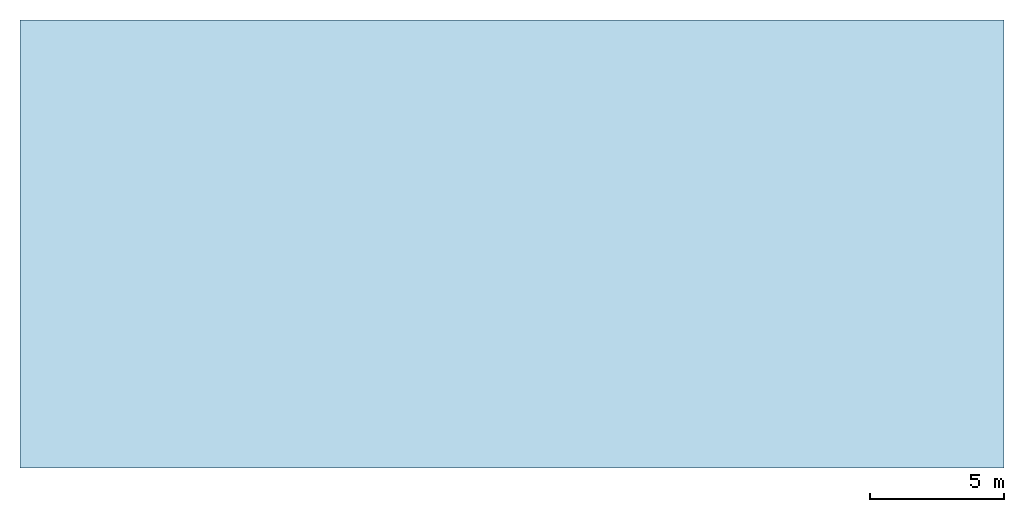
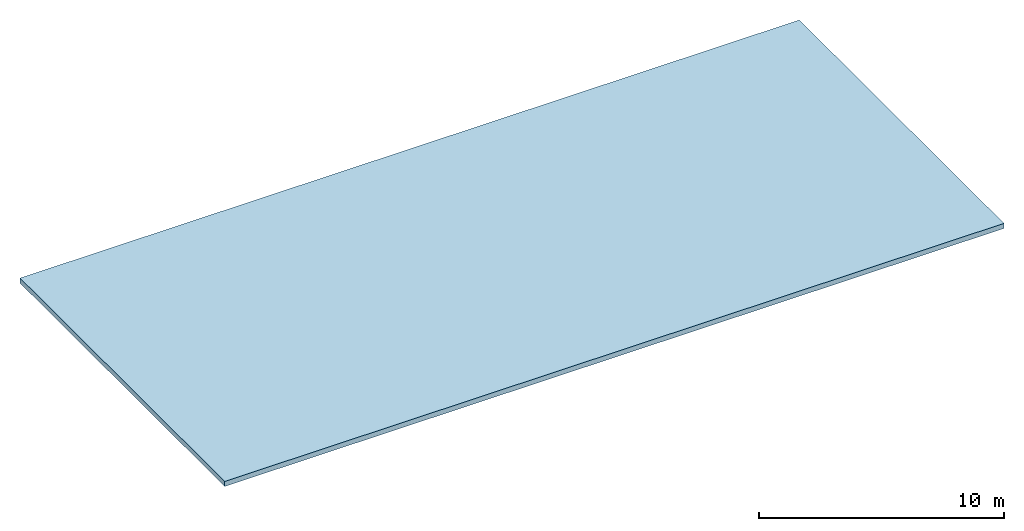
# One storey: 1 slab.
"""IFC4 building model written with IfcOpenShell, lengths in metres."""

import ifcopenshell
import ifcopenshell.guid

model = None  # the IFC model being written
_history = None  # IfcOwnerHistory: only IFC2X3 demands one
_inside = {}  # id of a spatial element -> (the spatial element, [elements in it])
_under = {}  # id of a project, library or spatial element -> (it, [spatial elements below it])
_declared = {}  # id of a project -> (the project, [libraries it declares])
_typed = {}  # id of a type object -> (the type object, [elements of that type])
_made_of = {}  # id of a material, layer set ... -> (it, [elements and type objects made of it])


def new_model(schema):
    """Start an empty IFC model of exactly this schema.

    Asked for "IFC4X3", IfcOpenShell would pick the latest addendum, in which some entities
    have other attributes; the version numbers below select the first issue.
    IFC2X3 requires an IfcOwnerHistory on every rooted entity: one is made here for all.
    """
    global model, _history
    if schema == "IFC4X3":
        model = ifcopenshell.file(schema_version=(4, 3, 0, 0))
    else:
        model = ifcopenshell.file(schema=schema)
    _inside.clear()
    _under.clear()
    _declared.clear()
    _typed.clear()
    _made_of.clear()
    _history = None
    if model.schema == "IFC2X3":
        org = make("IfcOrganization", Name="unknown")
        user = make(
            "IfcPersonAndOrganization",
            ThePerson=make("IfcPerson", FamilyName="unknown"),
            TheOrganization=org,
        )
        app = make(
            "IfcApplication",
            ApplicationDeveloper=org,
            Version="unknown",
            ApplicationFullName="unknown",
            ApplicationIdentifier="unknown",
        )
        _history = make(
            "IfcOwnerHistory",
            OwningUser=user,
            OwningApplication=app,
            ChangeAction="ADDED",
            CreationDate=0,
        )
    return model


def make(cls, **values):
    """One entity of the class cls with the attributes given. An attribute that is None is left unset."""
    return model.create_entity(
        cls, **{name: value for name, value in values.items() if value is not None}
    )


def rooted(cls, **values):
    """An entity with a GlobalId (a new one), such as an element, a storey or a relation."""
    return make(cls, GlobalId=ifcopenshell.guid.new(), OwnerHistory=_history, **values)


def si_unit(unit_type, name, prefix=None):
    """IfcSIUnit, for example si_unit("LENGTHUNIT", "METRE", prefix="MILLI")."""
    return make("IfcSIUnit", UnitType=unit_type, Prefix=prefix, Name=name)


def assignment(units):
    """IfcUnitAssignment: the units of a project."""
    return None if units is None else make("IfcUnitAssignment", Units=units)


def point(xyz):
    """IfcCartesianPoint."""
    return None if xyz is None else make("IfcCartesianPoint", Coordinates=xyz)


def direction(xyz):
    """IfcDirection."""
    return None if xyz is None else make("IfcDirection", DirectionRatios=xyz)


def frame(location, z_axis=None, x_axis=None):
    """IfcAxis2Placement3D, a coordinate frame: its origin and axes. An axis left out is left unset."""
    return make(
        "IfcAxis2Placement3D",
        Location=point(location),
        Axis=direction(z_axis),
        RefDirection=direction(x_axis),
    )


def origin():
    """The frame at (0, 0, 0) with its axes left unset."""
    return frame((0.0, 0.0, 0.0))


def place(relative_to, where):
    """IfcLocalPlacement: puts the frame where relative to a parent placement (None: the world)."""
    return make(
        "IfcLocalPlacement", PlacementRelTo=relative_to, RelativePlacement=where
    )


def context(
    kind, dimensions, precision=None, world=None, true_north=None, identifier=None
):
    """IfcGeometricRepresentationContext, for example the 3D "Model" context."""
    return make(
        "IfcGeometricRepresentationContext",
        ContextIdentifier=identifier,
        ContextType=kind,
        CoordinateSpaceDimension=dimensions,
        Precision=precision,
        WorldCoordinateSystem=world,
        TrueNorth=true_north,
    )


def subcontext(parent, identifier, kind, view, scale=None):
    """IfcGeometricRepresentationSubContext, for example "Body" below "Model"."""
    return make(
        "IfcGeometricRepresentationSubContext",
        ContextIdentifier=identifier,
        ContextType=kind,
        ParentContext=parent,
        TargetScale=scale,
        TargetView=view,
    )


def project(units=None, contexts=None):
    """IfcProject with its units and contexts."""
    return rooted(
        "IfcProject",
        Name="project",
        RepresentationContexts=contexts,
        UnitsInContext=assignment(units),
    )


def spatial(cls, under=None, at=None, **own):
    """A site, building, storey or space (cls), placed at a placement, below another one or the project."""
    s = rooted(cls, ObjectPlacement=at, **own)
    if under is not None:
        _under.setdefault(under.id(), (under, []))[1].append(s)
    return s


def polyline(points):
    """IfcPolyline through the points."""
    return make("IfcPolyline", Points=[point(p) for p in points])


def outline(outer, holes=None, kind="AREA"):
    """IfcArbitraryClosedProfileDef: a profile drawn as a closed curve; with holes, ...WithVoids."""
    if holes is None:
        return make("IfcArbitraryClosedProfileDef", ProfileType=kind, OuterCurve=outer)
    return make(
        "IfcArbitraryProfileDefWithVoids",
        ProfileType=kind,
        OuterCurve=outer,
        InnerCurves=holes,
    )


def extrude(swept, where, along, depth):
    """IfcExtrudedAreaSolid: the profile swept, set in the frame where, extruded along a direction by depth."""
    return make(
        "IfcExtrudedAreaSolid",
        SweptArea=swept,
        Position=where,
        ExtrudedDirection=direction(along),
        Depth=depth,
    )


def shape(context_of_items, identifier, shape_type, items):
    """IfcShapeRepresentation: the items that make up one representation, for example the "Body"."""
    return make(
        "IfcShapeRepresentation",
        ContextOfItems=context_of_items,
        RepresentationIdentifier=identifier,
        RepresentationType=shape_type,
        Items=items,
    )


def material(Name=None, Category=None):
    """IfcMaterial."""
    return make("IfcMaterial", Name=Name, Category=Category)


def layer(
    of_material, thickness, ventilated=None, Name=None, Category=None, Priority=None
):
    """IfcMaterialLayer: one layer of a wall or slab, of a material (None: an air gap)."""
    return make(
        "IfcMaterialLayer",
        Material=of_material,
        LayerThickness=thickness,
        IsVentilated=ventilated,
        Name=Name,
        Category=Category,
        Priority=Priority,
    )


def layer_set(layers, Name=None):
    """IfcMaterialLayerSet."""
    return make("IfcMaterialLayerSet", MaterialLayers=layers, LayerSetName=Name)


def made_of(thing, what):
    """Note that an element or type object is made of a material, layer set ...; save() writes the relation."""
    if what is not None:
        _made_of.setdefault(what.id(), (what, []))[1].append(thing)
    return thing


def type_object(cls, material=None, **own):
    """A type object (cls), such as IfcWallType, which elements share."""
    return made_of(rooted(cls, **own), material)


def element(
    cls,
    number,
    at=None,
    inside=None,
    cuts=None,
    type_object=None,
    material=None,
    context=None,
    identifier="Body",
    shape_type=None,
    held_by="IfcProductDefinitionShape",
    body=None,
    shapes=None,
    **own,
):
    """One element of the class cls, such as IfcWall. Its Tag is "e" and its number.

    at: its placement. inside: the storey or other place that contains it. cuts: it is an
    opening in that element (IfcRelVoidsElement). A single representation is given by context,
    identifier, shape_type and body (its items); several are given by shapes. held_by: the class
    of the entity that holds the representations. save() writes the other relations.
    """
    e = rooted(cls, Tag="e%d" % number, ObjectPlacement=at, **own)
    if body is not None:
        shapes = [shape(context, identifier, shape_type, body)]
    if shapes is not None:
        e.Representation = make(held_by, Representations=shapes)
    if inside is not None:
        _inside.setdefault(inside.id(), (inside, []))[1].append(e)
    if cuts is not None:
        rooted(
            "IfcRelVoidsElement", RelatingBuildingElement=cuts, RelatedOpeningElement=e
        )
    if type_object is not None:
        _typed.setdefault(type_object.id(), (type_object, []))[1].append(e)
    return made_of(e, material)


def aggregate(whole, parts):
    """IfcRelAggregates: a whole, such as a stair, and the parts it consists of."""
    return rooted("IfcRelAggregates", RelatingObject=whole, RelatedObjects=parts)


def save(model, path):
    """Write the relations noted so far, then the file.

    IfcRelAggregates (storeys below a building ...), IfcRelContainedInSpatialStructure (elements
    in a storey), IfcRelDefinesByType, IfcRelAssociatesMaterial and IfcRelDeclares: one each for
    every whole, place, type object, material and project.
    """
    for whole, parts in _under.values():
        aggregate(whole, parts)
    for where, things in _inside.values():
        rooted(
            "IfcRelContainedInSpatialStructure",
            RelatedElements=things,
            RelatingStructure=where,
        )
    for kind, things in _typed.values():
        rooted("IfcRelDefinesByType", RelatedObjects=things, RelatingType=kind)
    for what, things in _made_of.values():
        rooted("IfcRelAssociatesMaterial", RelatedObjects=things, RelatingMaterial=what)
    for by, libraries in _declared.values():
        rooted("IfcRelDeclares", RelatingContext=by, RelatedDefinitions=libraries)
    model.write(path)


model = new_model("IFC4")

# Units and contexts
model_context = context("Model", 3, precision=1e-05, world=origin(), true_north=direction((0.0, 1.0)))
body_context = subcontext(model_context, "Body", "Model", "MODEL_VIEW")
ifc_project = project(units=[si_unit("LENGTHUNIT", "METRE"), si_unit("AREAUNIT", "SQUARE_METRE"), si_unit("VOLUMEUNIT", "CUBIC_METRE"), si_unit("PLANEANGLEUNIT", "RADIAN"), si_unit("MASSUNIT", "GRAM", prefix="KILO")], contexts=[model_context])

# Site, building, storey
site_placement = place(None, origin())
site = spatial("IfcSite", under=ifc_project, at=site_placement, CompositionType="ELEMENT")
building_placement = place(site_placement, origin())
building = spatial("IfcBuilding", under=site, at=building_placement, Name="Rheinbord Bourse Tower", CompositionType="ELEMENT")
storey_placement = place(building_placement, frame((0.0, 0.0, 337.949951171875)))
storey = spatial("IfcBuildingStorey", under=building, at=storey_placement, Name="UPPER ROOF", CompositionType="ELEMENT", Elevation=337.949951171875)

# Slab
ifc_material = material(Name="Concrete C30/37", Category="concrete")
ifc_layer = layer(ifc_material, 0.25)
ifc_layer_set = layer_set([ifc_layer], Name="ROOF SLAB 250")
slab_type = type_object("IfcSlabType", Name="ROOF SLAB 250", PredefinedType="ROOF", material=ifc_layer_set)
slab_placement = place(storey_placement, frame((0.0, 0.0, -0.25)))
element("IfcSlab", 1, at=slab_placement, inside=storey, type_object=slab_type, Name="Core head-house roof", PredefinedType="ROOF", context=body_context, shape_type="SweptSolid", body=[
    extrude(outline(polyline([(17.64990234375, 15.64990234375), (54.35009765625, 15.64990234375), (54.35009765625, 32.35009765625), (17.64990234375, 32.35009765625), (17.64990234375, 15.64990234375)])), origin(), (0.0, 0.0, 1.0), 0.25),
])

save(model, "model.ifc")
